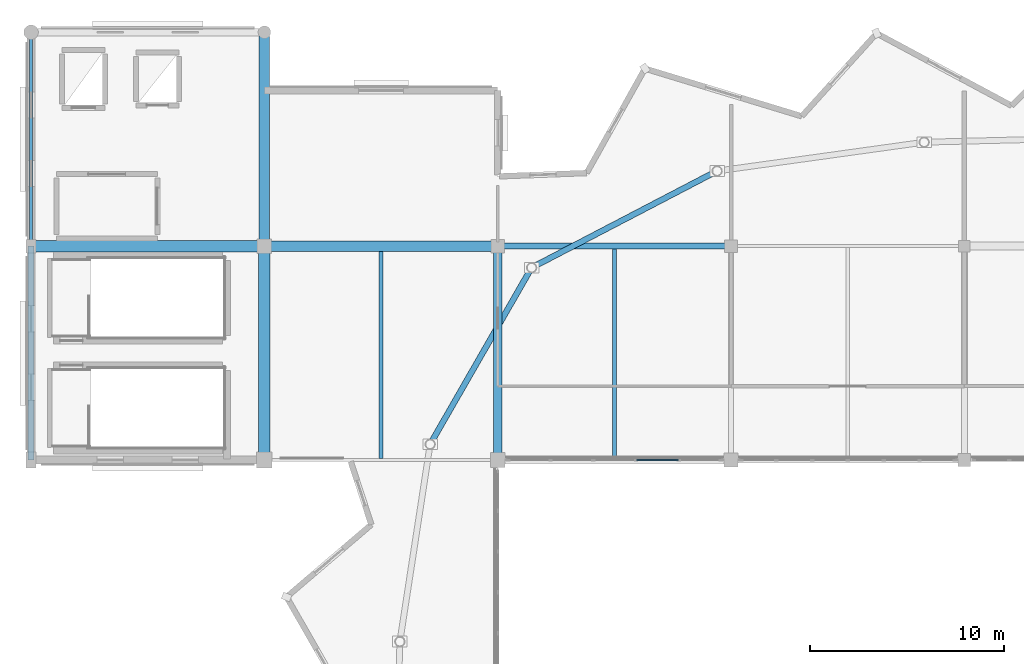
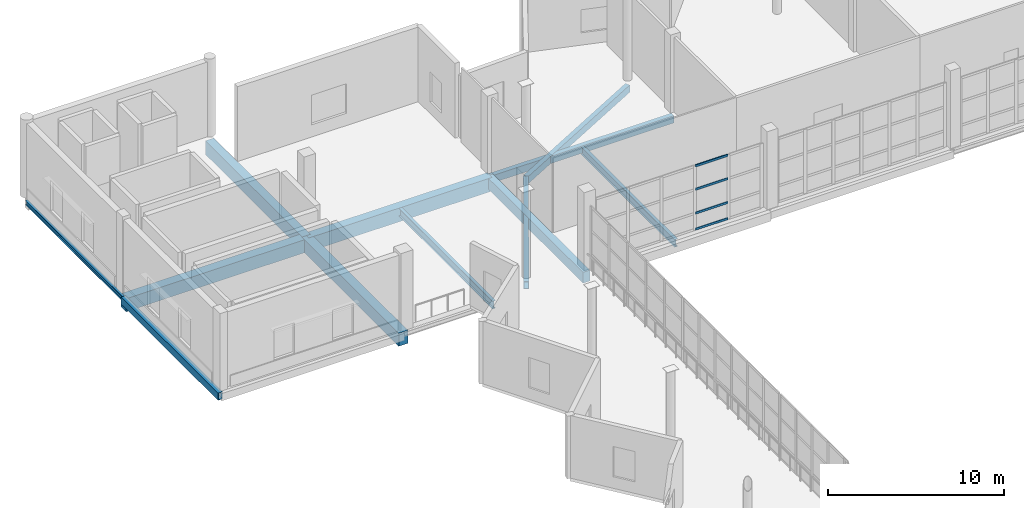
# One storey, part 22 of 49: 12 beams, 4 members, 1 element without a shape of its own.
"""IFC4 building model written with IfcOpenShell, lengths in metres."""

from ifc_helpers import new_model, si_unit, direction, frame, origin, origin_2d, place, context, subcontext, project, spatial, rectangle, hollow_rectangle, i_section, extrude, material, material_profile, profile_set, type_object, element, aggregate, save


model = new_model("IFC4")

# Units and contexts
model_context = context("Model", 3, precision=1e-05, world=origin(), true_north=direction((0.0, 1.0)))
body_context = subcontext(model_context, "Body", "Model", "MODEL_VIEW")
ifc_project = project(units=[si_unit("LENGTHUNIT", "METRE"), si_unit("AREAUNIT", "SQUARE_METRE"), si_unit("VOLUMEUNIT", "CUBIC_METRE"), si_unit("PLANEANGLEUNIT", "RADIAN"), si_unit("MASSUNIT", "GRAM", prefix="KILO")], contexts=[model_context])

# Site, building, storey
site_placement = place(None, origin())
site = spatial("IfcSite", under=ifc_project, at=site_placement, CompositionType="ELEMENT")
building_placement = place(site_placement, origin())
building = spatial("IfcBuilding", under=site, at=building_placement, Name="Luwafu Chhajja Arena", CompositionType="ELEMENT")
storey_placement = place(building_placement, frame((0.0, 0.0, 24.300048828125)))
storey = spatial("IfcBuildingStorey", under=building, at=storey_placement, Name="L05", CompositionType="ELEMENT", Elevation=24.300048828125)

# Curtain wall, members
ifc_material_1 = material(Name="Anodised bronze aluminium", Category="aluminium")
curtain_wall_type = type_object("IfcCurtainWallType", Name="VIP Club Terrace Curtain Wall", PredefinedType="USERDEFINED", material=ifc_material_1)
curtain_wall_placement = place(storey_placement, origin())
curtain_wall = element("IfcCurtainWall", 1, at=curtain_wall_placement, inside=storey, type_object=curtain_wall_type, Name="L05 Bowl Viewing Curtain Wall CWR-L05-08", ObjectType="CURTAIN WALL", PredefinedType="USERDEFINED")
ifc_material_profile_1 = material_profile(ifc_material_1, rectangle(XDim=0.06494140625, YDim=0.14990234375, at=origin_2d()), Name="CWT 65x150")
ifc_profile_set_1 = profile_set([ifc_material_profile_1], Name="Anodised bronze aluminium")
member_type = type_object("IfcMemberType", Name="Bronze Curtain Wall Transom 65x150", PredefinedType="USERDEFINED", material=ifc_profile_set_1)
member_1_placement = place(storey_placement, frame((65.14453125, 77.0, 0.032470703125), z_axis=(1.0, 0.0, 0.0), x_axis=(0.0, 1.0, 0.0)))
member_1 = element("IfcMember", 2, at=member_1_placement, type_object=member_type, Name="CW-10 transom 4.1", ObjectType="TRANSOM", PredefinedType="USERDEFINED", context=body_context, shape_type="SweptSolid", body=[
    extrude(rectangle(XDim=0.06494140625, YDim=0.14990234375, at=origin_2d()), origin(), (0.0, 0.0, 1.0), 2.134033203125),
])
member_2_placement = place(storey_placement, frame((65.14453125, 77.0, 1.14990234375), z_axis=(1.0, 0.0, 0.0), x_axis=(0.0, 1.0, 0.0)))
member_2 = element("IfcMember", 3, at=member_2_placement, type_object=member_type, Name="CW-10 transom 4.2", ObjectType="TRANSOM", PredefinedType="USERDEFINED", context=body_context, shape_type="SweptSolid", body=[
    extrude(rectangle(XDim=0.06494140625, YDim=0.14990234375, at=origin_2d()), origin(), (0.0, 0.0, 1.0), 2.134033203125),
])
member_3_placement = place(storey_placement, frame((65.14453125, 77.0, 2.800048828125), z_axis=(1.0, 0.0, 0.0), x_axis=(0.0, 1.0, 0.0)))
member_3 = element("IfcMember", 4, at=member_3_placement, type_object=member_type, Name="CW-10 transom 4.3", ObjectType="TRANSOM", PredefinedType="USERDEFINED", context=body_context, shape_type="SweptSolid", body=[
    extrude(rectangle(XDim=0.06494140625, YDim=0.14990234375, at=origin_2d()), origin(), (0.0, 0.0, 1.0), 2.134033203125),
])
member_4_placement = place(storey_placement, frame((65.14453125, 77.0, 4.41748046875), z_axis=(1.0, 0.0, 0.0), x_axis=(0.0, 1.0, 0.0)))
member_4 = element("IfcMember", 5, at=member_4_placement, type_object=member_type, Name="CW-10 transom 4.4", ObjectType="TRANSOM", PredefinedType="USERDEFINED", context=body_context, shape_type="SweptSolid", body=[
    extrude(rectangle(XDim=0.06494140625, YDim=0.14990234375, at=origin_2d()), origin(), (0.0, 0.0, 1.0), 2.134033203125),
])
aggregate(curtain_wall, [member_1, member_2, member_3, member_4])

# Beams
ifc_material_2 = material(Name="Steel S355", Category="steel")
ifc_material_profile_2 = material_profile(ifc_material_2, i_section(OverallWidth=0.165771484375, OverallDepth=0.306640625, WebThickness=0.006591796875, FlangeThickness=0.01171875, at=origin_2d()), Name="UB 305x165x46")
ifc_profile_set_2 = profile_set([ifc_material_profile_2], Name="Steel S355")
beam_type_1 = type_object("IfcBeamType", Name="Concourse Edge Spandrel Beam UB 305x165x46", PredefinedType="SPANDREL", material=ifc_profile_set_2)
beam_1_placement = place(storey_placement, frame((34.0, 88.0, -0.54345703125), z_axis=(0.0, 1.0, 0.0), x_axis=(-1.0, 0.0, 0.0)))
element("IfcBeam", 6, at=beam_1_placement, inside=storey, type_object=beam_type_1, Name="L05 Grid Beam 4/J-K", PredefinedType="SPANDREL", context=body_context, shape_type="SweptSolid", body=[
    extrude(i_section(OverallWidth=0.165771484375, OverallDepth=0.306640625, WebThickness=0.006591796875, FlangeThickness=0.01171875, at=origin_2d()), origin(), (0.0, 0.0, 1.0), 11.0),
])
ifc_material_3 = material(Name="Concrete C35/45", Category="concrete")
ifc_material_profile_3 = material_profile(ifc_material_3, rectangle(XDim=0.60009765625, YDim=0.89990234375, at=origin_2d()), Name="RC 600x900")
ifc_profile_set_3 = profile_set([ifc_material_profile_3], Name="Concrete C35/45")
beam_type_2 = type_object("IfcBeamType", Name="Concourse Primary Girder RC 600x900", PredefinedType="BEAM", material=ifc_profile_set_3)
beam_2_placement = place(storey_placement, frame((34.0, 88.0, -0.840087890625), z_axis=(1.0, 0.0, 0.0), x_axis=(0.0, 1.0, 0.0)))
element("IfcBeam", 7, at=beam_2_placement, inside=storey, type_object=beam_type_2, Name="L05 Grid Beam 4-5/J", PredefinedType="BEAM", context=body_context, shape_type="SweptSolid", body=[
    extrude(rectangle(XDim=0.60009765625, YDim=0.89990234375, at=origin_2d()), origin(), (0.0, 0.0, 1.0), 12.0),
])
beam_3_placement = place(storey_placement, frame((46.0, 77.0, -0.840087890625), z_axis=(0.0, 1.0, 0.0), x_axis=(-1.0, 0.0, 0.0)))
element("IfcBeam", 8, at=beam_3_placement, inside=storey, type_object=beam_type_2, Name="L05 Grid Beam 5/H-J", PredefinedType="BEAM", context=body_context, shape_type="SweptSolid", body=[
    extrude(rectangle(XDim=0.60009765625, YDim=0.89990234375, at=origin_2d()), origin(), (0.0, 0.0, 1.0), 11.0),
])
ifc_material_profile_4 = material_profile(ifc_material_3, rectangle(XDim=0.550048828125, YDim=0.949951171875, at=origin_2d()), Name="RC 550x950")
ifc_profile_set_4 = profile_set([ifc_material_profile_4], Name="Concrete C35/45")
beam_type_3 = type_object("IfcBeamType", Name="Concourse Radial Girder RC 550x950", PredefinedType="BEAM", material=ifc_profile_set_4)
beam_4_placement = place(storey_placement, frame((46.0, 88.0, -0.864990234375), z_axis=(1.0, 0.0, 0.0), x_axis=(0.0, 1.0, 0.0)))
element("IfcBeam", 9, at=beam_4_placement, inside=storey, type_object=beam_type_3, Name="L05 Grid Beam 5-6/J", PredefinedType="BEAM", context=body_context, shape_type="SweptSolid", body=[
    extrude(rectangle(XDim=0.550048828125, YDim=0.949951171875, at=origin_2d()), origin(), (0.0, 0.0, 1.0), 12.0),
])
beam_5_placement = place(storey_placement, frame((46.0, 88.0, -0.864990234375), z_axis=(0.0, 1.0, 0.0), x_axis=(-1.0, 0.0, 0.0)))
element("IfcBeam", 10, at=beam_5_placement, inside=storey, type_object=beam_type_3, Name="L05 Grid Beam 5/J-K", PredefinedType="BEAM", context=body_context, shape_type="SweptSolid", body=[
    extrude(rectangle(XDim=0.550048828125, YDim=0.949951171875, at=origin_2d()), origin(), (0.0, 0.0, 1.0), 11.0),
])
ifc_material_profile_5 = material_profile(ifc_material_2, i_section(OverallWidth=0.2099609375, OverallDepth=0.53662109375, WebThickness=0.0107421875, FlangeThickness=0.017333984375, at=origin_2d()), Name="UB 533x210x101")
ifc_profile_set_5 = profile_set([ifc_material_profile_5], Name="Steel S355")
beam_type_4 = type_object("IfcBeamType", Name="Floor Joist UB 533x210x101", PredefinedType="JOIST", material=ifc_profile_set_5)
beam_6_placement = place(storey_placement, frame((52.0, 77.082763671875, -0.658447265625), z_axis=(0.0, 1.0, 0.0), x_axis=(-1.0, 0.0, 0.0)))
element("IfcBeam", 11, at=beam_6_placement, inside=storey, type_object=beam_type_4, Name="L05 Secondary Joist 5-6/H", PredefinedType="JOIST", context=body_context, shape_type="SweptSolid", body=[
    extrude(i_section(OverallWidth=0.2099609375, OverallDepth=0.53662109375, WebThickness=0.0107421875, FlangeThickness=0.017333984375, at=origin_2d()), origin(), (0.0, 0.0, 1.0), 10.642333984375),
])
ifc_material_profile_6 = material_profile(ifc_material_2, i_section(OverallWidth=0.209228515625, OverallDepth=0.533203125, WebThickness=0.010009765625, FlangeThickness=0.015625, at=origin_2d()), Name="UB 533x210x92")
ifc_profile_set_6 = profile_set([ifc_material_profile_6], Name="Steel S355")
beam_type_5 = type_object("IfcBeamType", Name="Floor Joist UB 533x210x92", PredefinedType="JOIST", material=ifc_profile_set_6)
beam_7_placement = place(storey_placement, frame((64.0, 77.199951171875, -0.656494140625), z_axis=(0.0, 1.0, 0.0), x_axis=(-1.0, 0.0, 0.0)))
element("IfcBeam", 12, at=beam_7_placement, inside=storey, type_object=beam_type_5, Name="L05 Secondary Joist 6-7/H", PredefinedType="JOIST", context=body_context, shape_type="SweptSolid", body=[
    extrude(i_section(OverallWidth=0.209228515625, OverallDepth=0.533203125, WebThickness=0.010009765625, FlangeThickness=0.015625, at=origin_2d()), origin(), (0.0, 0.0, 1.0), 10.650146484375),
])
ifc_material_profile_7 = material_profile(ifc_material_2, hollow_rectangle(XDim=0.300048828125, YDim=0.5, WallThickness=0.02001953125, at=origin_2d()), Name="RHS 500x300x20")
ifc_profile_set_7 = profile_set([ifc_material_profile_7], Name="Steel S355")
beam_type_6 = type_object("IfcBeamType", Name="Pleated Drum Spandrel Beam RHS 500x300", PredefinedType="SPANDREL", material=ifc_profile_set_7)
beam_8_placement = place(storey_placement, frame((58.0, 88.0, -0.64013671875), z_axis=(1.0, 0.0, 0.0), x_axis=(0.0, 1.0, 0.0)))
element("IfcBeam", 13, at=beam_8_placement, inside=storey, type_object=beam_type_6, Name="L05 Grid Beam 6-7/J", PredefinedType="SPANDREL", context=body_context, shape_type="SweptSolid", body=[
    extrude(hollow_rectangle(XDim=0.300048828125, YDim=0.5, WallThickness=0.02001953125, at=origin_2d()), origin(), (0.0, 0.0, 1.0), 12.0),
])
beam_9_placement = place(storey_placement, frame((34.0, 77.0, -0.64013671875), z_axis=(0.0, 1.0, 0.0), x_axis=(-1.0, 0.0, 0.0)))
element("IfcBeam", 14, at=beam_9_placement, inside=storey, type_object=beam_type_6, Name="L05 Grid Beam 4/H-J", PredefinedType="SPANDREL", context=body_context, shape_type="SweptSolid", body=[
    extrude(hollow_rectangle(XDim=0.300048828125, YDim=0.5, WallThickness=0.02001953125, at=origin_2d()), origin(), (0.0, 0.0, 1.0), 11.0),
])
beam_10_placement = place(storey_placement, frame((69.281982421875, 91.86279296875, -0.64013671875), z_axis=(-0.886755170812, -0.462239404463, 0.0), x_axis=(0.462239404463, -0.886755170812, 0.0)))
element("IfcBeam", 15, at=beam_10_placement, inside=storey, type_object=beam_type_6, Name="L05 Drum Ring Spandrel D12-D13", PredefinedType="SPANDREL", context=body_context, shape_type="SweptSolid", body=[
    extrude(hollow_rectangle(XDim=0.300048828125, YDim=0.5, WallThickness=0.02001953125, at=origin_2d()), origin(), (0.0, 0.0, 1.0), 10.756103515625),
])
beam_11_placement = place(storey_placement, frame((59.743896484375, 86.890869140625, -0.64013671875), z_axis=(-0.498192671921, -0.867066353657, 0.0), x_axis=(0.867066353657, -0.498192671921, 0.0)))
element("IfcBeam", 16, at=beam_11_placement, inside=storey, type_object=beam_type_6, Name="L05 Drum Ring Spandrel D13-D14", PredefinedType="SPANDREL", context=body_context, shape_type="SweptSolid", body=[
    extrude(hollow_rectangle(XDim=0.300048828125, YDim=0.5, WallThickness=0.02001953125, at=origin_2d()), origin(), (0.0, 0.0, 1.0), 10.477783203125),
])
ifc_material_profile_8 = material_profile(ifc_material_3, rectangle(XDim=0.449951171875, YDim=0.75, at=origin_2d()), Name="RC 450x750")
ifc_profile_set_8 = profile_set([ifc_material_profile_8], Name="Concrete C35/45")
beam_type_7 = type_object("IfcBeamType", Name="Wing Primary Beam RC 450x750", PredefinedType="BEAM", material=ifc_profile_set_8)
beam_12_placement = place(storey_placement, frame((58.0, 77.0, -0.76513671875), z_axis=(0.0, 1.0, 0.0), x_axis=(-1.0, 0.0, 0.0)))
element("IfcBeam", 17, at=beam_12_placement, inside=storey, type_object=beam_type_7, Name="L05 Grid Beam 6/H-J", PredefinedType="BEAM", context=body_context, shape_type="SweptSolid", body=[
    extrude(rectangle(XDim=0.449951171875, YDim=0.75, at=origin_2d()), origin(), (0.0, 0.0, 1.0), 11.0),
])

save(model, "model.ifc")
